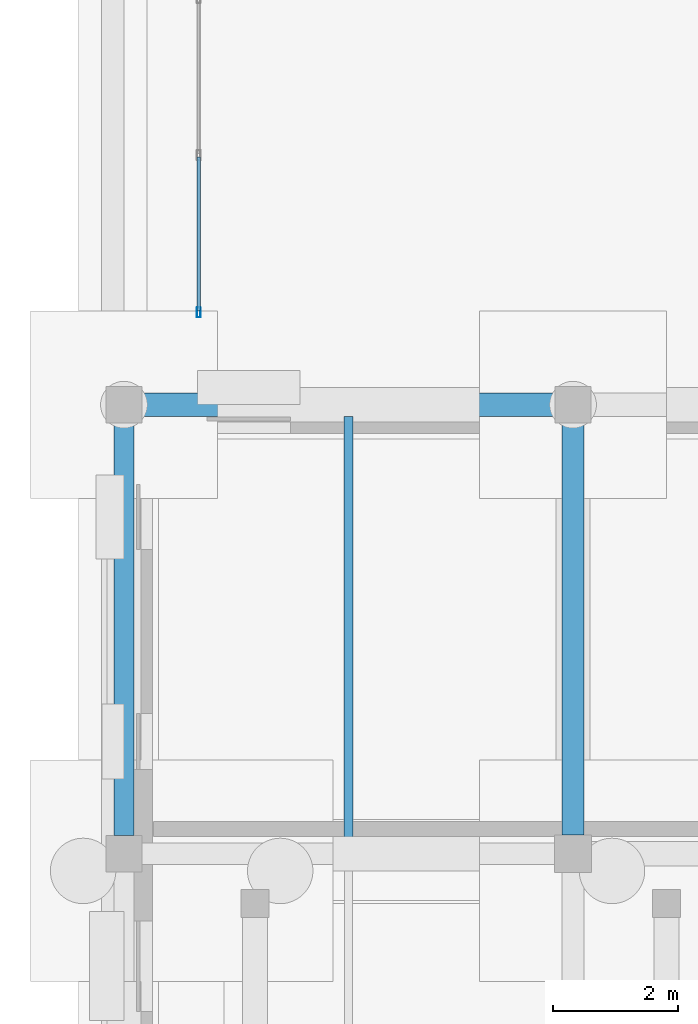
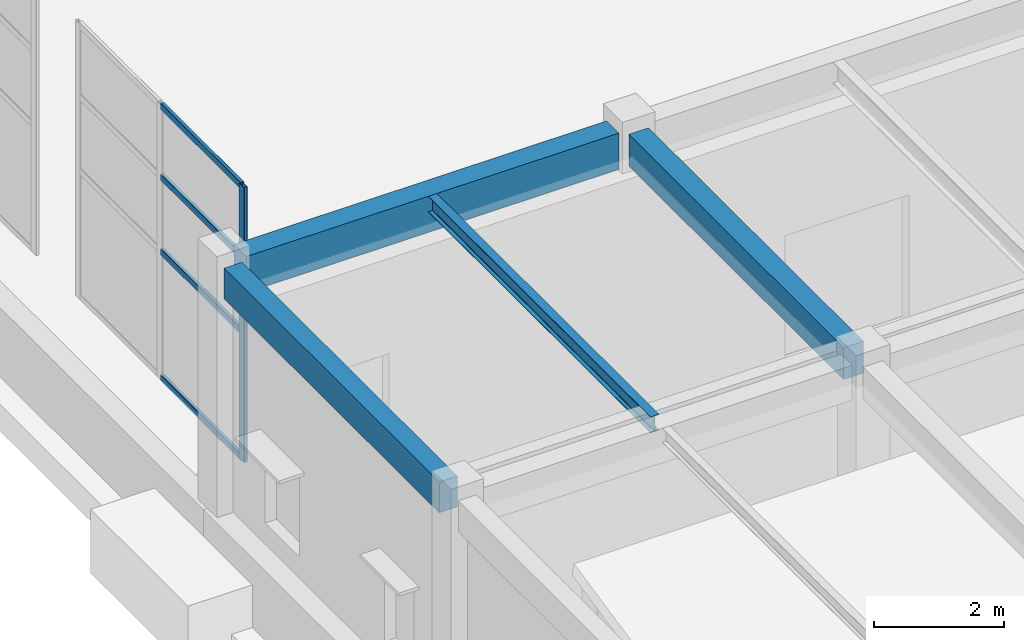
# One storey, part 30 of 91: 5 members, 4 beams, 1 element without a shape of its own.
"""IFC4 building model written with IfcOpenShell, lengths in metres."""

from ifc_helpers import new_model, si_unit, direction, frame, origin, origin_2d, place, context, subcontext, project, spatial, rectangle, hollow_rectangle, i_section, extrude, material, material_profile, profile_set, type_object, element, aggregate, save


model = new_model("IFC4")

# Units and contexts
model_context = context("Model", 3, precision=1e-05, world=origin(), true_north=direction((0.0, 1.0)))
body_context = subcontext(model_context, "Body", "Model", "MODEL_VIEW")
ifc_project = project(units=[si_unit("LENGTHUNIT", "METRE"), si_unit("AREAUNIT", "SQUARE_METRE"), si_unit("VOLUMEUNIT", "CUBIC_METRE"), si_unit("PLANEANGLEUNIT", "RADIAN"), si_unit("MASSUNIT", "GRAM", prefix="KILO")], contexts=[model_context])

# Site, building, storey
site_placement = place(None, origin())
site = spatial("IfcSite", under=ifc_project, at=site_placement, CompositionType="ELEMENT")
building_placement = place(site_placement, origin())
building = spatial("IfcBuilding", under=site, at=building_placement, Name="Bramveld Media Centre", CompositionType="ELEMENT")
storey_placement = place(building_placement, origin())
storey = spatial("IfcBuildingStorey", under=building, at=storey_placement, Name="L00", CompositionType="ELEMENT", Elevation=0.0)

# Beam
ifc_material_1 = material(Name="Concrete C40/50", Category="concrete")
ifc_material_profile_1 = material_profile(ifc_material_1, rectangle(XDim=0.35009765625, YDim=0.60009765625, at=origin_2d()), Name="RC 350x600")
ifc_profile_set_1 = profile_set([ifc_material_profile_1], Name="Concrete C40/50")
beam_type_1 = type_object("IfcBeamType", Name="BM-INT-RC-350x600", PredefinedType="BEAM", material=ifc_profile_set_1)
beam_1_placement = place(storey_placement, frame((7.199951171875, 61.10009765625, 4.840087890625), z_axis=(0.0, 1.0, 0.0), x_axis=(-1.0, 0.0, 0.0)))
element("IfcBeam", 1, at=beam_1_placement, inside=storey, type_object=beam_type_1, Name="V3 L00 girder Y-222", PredefinedType="BEAM", context=body_context, shape_type="SweptSolid", body=[
    extrude(rectangle(XDim=0.35009765625, YDim=0.60009765625, at=origin_2d()), origin(), (0.0, 0.0, 1.0), 6.60986328125),
])

# Curtain wall, members
ifc_material_2 = material(Name="Thermally broken anodized bronze aluminium unitized curtain wall with solar-control triple glazing", Category="aluminium")
curtain_wall_type = type_object("IfcCurtainWallType", Name="CW-GAL-5100x5160", PredefinedType="NOTDEFINED", material=ifc_material_2)
curtain_wall_placement = place(storey_placement, origin())
curtain_wall = element("IfcCurtainWall", 2, at=curtain_wall_placement, inside=storey, type_object=curtain_wall_type, Name="COLN-W colonnade glazed screen 1", PredefinedType="NOTDEFINED")
ifc_material_3 = material(Name="Thermally broken anodized bronze aluminium EN AW-6063 T6 curtain-wall framing", Category="aluminium")
ifc_material_profile_2 = material_profile(ifc_material_3, hollow_rectangle(XDim=0.06005859375, YDim=0.159912109375, WallThickness=0.00390625, InnerFilletRadius=0.00390625, OuterFilletRadius=0.008056640625, at=origin_2d()), Name="AL-MULL 60x160")
ifc_profile_set_2 = profile_set([ifc_material_profile_2], Name="Thermally broken anodized bronze aluminium EN AW-6063 T6 curtain-wall framing")
member_type_1 = type_object("IfcMemberType", Name="CW-MULL-EXT", PredefinedType="MULLION", material=ifc_profile_set_2)
member_1_placement = place(storey_placement, frame((1.199951171875, 69.47998046875, 0.0), z_axis=(0.0, 0.0, 1.0), x_axis=(-1.0, 0.0, 0.0)))
member_1 = element("IfcMember", 3, at=member_1_placement, type_object=member_type_1, Name="CW-GA-5151 mullion 1", PredefinedType="MULLION", context=body_context, shape_type="SweptSolid", body=[
    extrude(hollow_rectangle(XDim=0.06005859375, YDim=0.159912109375, WallThickness=0.00390625, InnerFilletRadius=0.00390625, OuterFilletRadius=0.008056640625, at=origin_2d()), origin(), (0.0, 0.0, 1.0), 5.159912109375),
])
ifc_material_4 = material(Name="Thermally broken anodized bronze aluminium EN AW-6063 T6 curtain-wall framing", Category="aluminium")
ifc_material_profile_3 = material_profile(ifc_material_4, hollow_rectangle(XDim=0.06005859375, YDim=0.1201171875, WallThickness=0.00341796875, InnerFilletRadius=0.00341796875, OuterFilletRadius=0.007080078125, at=origin_2d()), Name="AL-TRAN 60x120")
ifc_profile_set_3 = profile_set([ifc_material_profile_3], Name="Thermally broken anodized bronze aluminium EN AW-6063 T6 curtain-wall framing")
member_type_2 = type_object("IfcMemberType", Name="CW-TRAN-EXT", PredefinedType="USERDEFINED", material=ifc_profile_set_3)
member_2_placement = place(storey_placement, frame((1.199951171875, 69.510009765625, 0.030029296875), z_axis=(0.0, 1.0, 0.0), x_axis=(-1.0, 0.0, 0.0)))
member_2 = element("IfcMember", 4, at=member_2_placement, type_object=member_type_2, Name="CW-GA-5151 transom 1.1", ObjectType="TRANSOM", PredefinedType="USERDEFINED", context=body_context, shape_type="SweptSolid", body=[
    extrude(hollow_rectangle(XDim=0.06005859375, YDim=0.1201171875, WallThickness=0.00341796875, InnerFilletRadius=0.00341796875, OuterFilletRadius=0.007080078125, at=origin_2d()), origin(), (0.0, 0.0, 1.0), 2.4599609375),
])
member_3_placement = place(storey_placement, frame((1.199951171875, 69.510009765625, 2.39990234375), z_axis=(0.0, 1.0, 0.0), x_axis=(-1.0, 0.0, 0.0)))
member_3 = element("IfcMember", 5, at=member_3_placement, type_object=member_type_2, Name="CW-GA-5151 transom 1.2", ObjectType="TRANSOM", PredefinedType="USERDEFINED", context=body_context, shape_type="SweptSolid", body=[
    extrude(hollow_rectangle(XDim=0.06005859375, YDim=0.1201171875, WallThickness=0.00341796875, InnerFilletRadius=0.00341796875, OuterFilletRadius=0.007080078125, at=origin_2d()), origin(), (0.0, 0.0, 1.0), 2.4599609375),
])
member_4_placement = place(storey_placement, frame((1.199951171875, 69.510009765625, 3.800048828125), z_axis=(0.0, 1.0, 0.0), x_axis=(-1.0, 0.0, 0.0)))
member_4 = element("IfcMember", 6, at=member_4_placement, type_object=member_type_2, Name="CW-GA-5151 transom 1.3", ObjectType="TRANSOM", PredefinedType="USERDEFINED", context=body_context, shape_type="SweptSolid", body=[
    extrude(hollow_rectangle(XDim=0.06005859375, YDim=0.1201171875, WallThickness=0.00341796875, InnerFilletRadius=0.00341796875, OuterFilletRadius=0.007080078125, at=origin_2d()), origin(), (0.0, 0.0, 1.0), 2.4599609375),
])
member_5_placement = place(storey_placement, frame((1.199951171875, 69.510009765625, 5.1298828125), z_axis=(0.0, 1.0, 0.0), x_axis=(-1.0, 0.0, 0.0)))
member_5 = element("IfcMember", 7, at=member_5_placement, type_object=member_type_2, Name="CW-GA-5151 transom 1.4", ObjectType="TRANSOM", PredefinedType="USERDEFINED", context=body_context, shape_type="SweptSolid", body=[
    extrude(hollow_rectangle(XDim=0.06005859375, YDim=0.1201171875, WallThickness=0.00341796875, InnerFilletRadius=0.00341796875, OuterFilletRadius=0.007080078125, at=origin_2d()), origin(), (0.0, 0.0, 1.0), 2.4599609375),
])
aggregate(curtain_wall, [member_1, member_2, member_3, member_4, member_5])

# Beams
ifc_material_5 = material(Name="Steel S355J2", Category="steel")
ifc_material_profile_4 = material_profile(ifc_material_5, i_section(OverallWidth=0.14990234375, OverallDepth=0.300048828125, WebThickness=0.007080078125, FlangeThickness=0.0107421875, FilletRadius=0.014892578125, at=origin_2d()), Name="IPE 300")
ifc_profile_set_4 = profile_set([ifc_material_profile_4], Name="Steel S355J2")
beam_type_2 = type_object("IfcBeamType", Name="SBM-INT-IPE-300", PredefinedType="JOIST", material=ifc_profile_set_4)
beam_2_placement = place(storey_placement, frame((3.60009765625, 60.97509765625, 4.989990234375), z_axis=(0.0, 1.0, 0.0), x_axis=(-1.0, 0.0, 0.0)))
element("IfcBeam", 8, at=beam_2_placement, inside=storey, type_object=beam_type_2, Name="V3 L00 secondary floor joist 241", PredefinedType="JOIST", context=body_context, shape_type="SweptSolid", body=[
    extrude(i_section(OverallWidth=0.14990234375, OverallDepth=0.300048828125, WebThickness=0.007080078125, FlangeThickness=0.0107421875, FilletRadius=0.014892578125, at=origin_2d()), origin(), (0.0, 0.0, 1.0), 6.8349609375),
])
ifc_material_6 = material(Name="Concrete C40/50", Category="concrete")
ifc_material_profile_5 = material_profile(ifc_material_6, rectangle(XDim=0.320068359375, YDim=0.580078125, at=origin_2d()), Name="RC 320x580")
ifc_profile_set_5 = profile_set([ifc_material_profile_5], Name="Concrete C40/50")
beam_type_3 = type_object("IfcBeamType", Name="SPANDREL-EXT-RC-320x580", PredefinedType="SPANDREL", material=ifc_profile_set_5)
beam_3_placement = place(storey_placement, frame((0.0, 61.090087890625, 4.85009765625), z_axis=(0.0, 1.0, 0.0), x_axis=(-1.0, 0.0, 0.0)))
element("IfcBeam", 9, at=beam_3_placement, inside=storey, type_object=beam_type_3, Name="V3 L00 girder Y-219", PredefinedType="SPANDREL", context=body_context, shape_type="SweptSolid", body=[
    extrude(rectangle(XDim=0.320068359375, YDim=0.580078125, at=origin_2d()), origin(), (0.0, 0.0, 1.0), 6.619873046875),
])
ifc_material_7 = material(Name="Concrete C40/50", Category="concrete")
ifc_material_profile_6 = material_profile(ifc_material_7, rectangle(XDim=0.3798828125, YDim=0.679931640625, at=origin_2d()), Name="RC 380x680")
ifc_profile_set_6 = profile_set([ifc_material_profile_6], Name="Concrete C40/50")
beam_type_4 = type_object("IfcBeamType", Name="SPANDREL-EXT-RC-380x680", PredefinedType="SPANDREL", material=ifc_profile_set_6)
beam_4_placement = place(storey_placement, frame((0.2900390625, 68.0, 4.800048828125), z_axis=(1.0, 0.0, 0.0), x_axis=(0.0, 1.0, 0.0)))
element("IfcBeam", 10, at=beam_4_placement, inside=storey, type_object=beam_type_4, Name="V3 L00 girder X-211", PredefinedType="SPANDREL", context=body_context, shape_type="SweptSolid", body=[
    extrude(rectangle(XDim=0.3798828125, YDim=0.679931640625, at=origin_2d()), origin(), (0.0, 0.0, 1.0), 6.619873046875),
])

save(model, "model.ifc")
